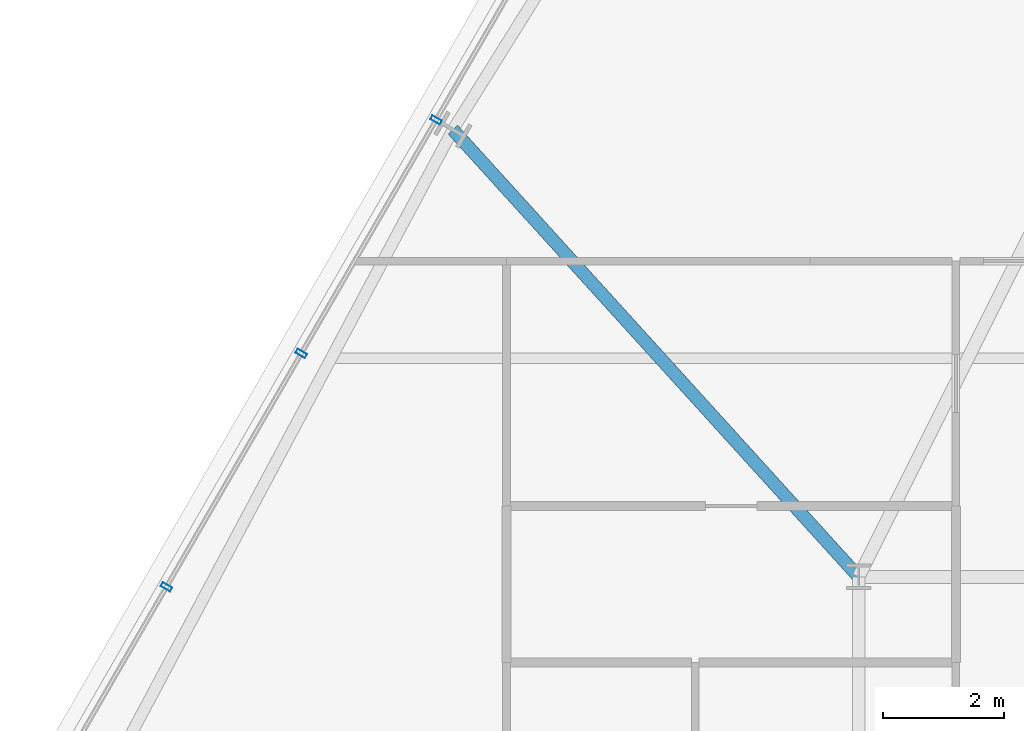
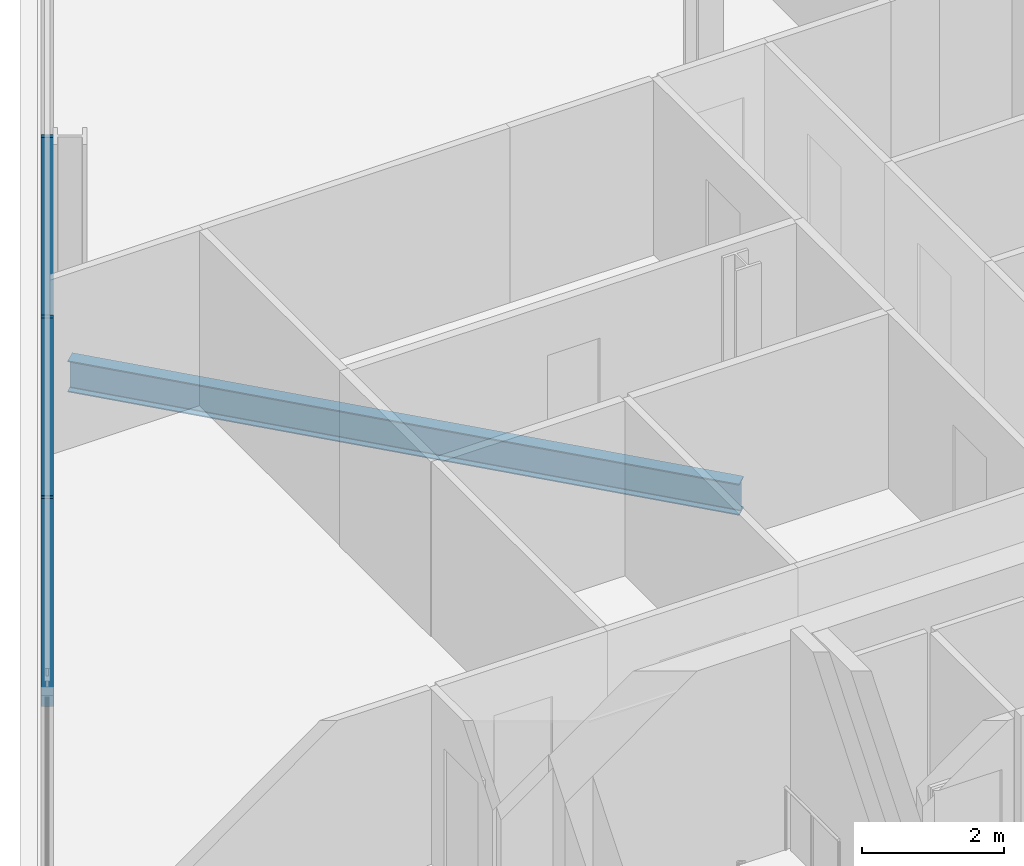
# One storey, part 11 of 31: 3 members, 1 beam, 1 element without a shape of its own.
"""IFC4 building model written with IfcOpenShell, lengths in metres."""

from ifc_helpers import new_model, si_unit, direction, frame, origin, origin_2d, place, context, subcontext, project, spatial, hollow_rectangle, i_section, extrude, material, layer, layer_set, material_profile, profile_set, type_object, element, aggregate, save


model = new_model("IFC4")

# Units and contexts
model_context = context("Model", 3, precision=1e-05, world=origin(), true_north=direction((0.0, 1.0)))
body_context = subcontext(model_context, "Body", "Model", "MODEL_VIEW")
ifc_project = project(units=[si_unit("LENGTHUNIT", "METRE"), si_unit("AREAUNIT", "SQUARE_METRE"), si_unit("VOLUMEUNIT", "CUBIC_METRE"), si_unit("PLANEANGLEUNIT", "RADIAN"), si_unit("MASSUNIT", "GRAM", prefix="KILO")], contexts=[model_context])

# Site, building, storey
site_placement = place(None, origin())
site = spatial("IfcSite", under=ifc_project, at=site_placement, CompositionType="ELEMENT")
building_placement = place(site_placement, origin())
building = spatial("IfcBuilding", under=site, at=building_placement, Name="Ndaravel Arena Tower", CompositionType="ELEMENT")
storey_placement = place(building_placement, frame((0.0, 0.0, 138.39990234375)))
storey = spatial("IfcBuildingStorey", under=building, at=storey_placement, Name="L32", CompositionType="ELEMENT", Elevation=138.39990234375)

# Beam
ifc_material_1 = material(Name="Steel S355", Category="steel")
ifc_material_profile_1 = material_profile(ifc_material_1, i_section(OverallWidth=0.210693359375, OverallDepth=0.53955078125, WebThickness=0.01171875, FlangeThickness=0.018798828125, FilletRadius=0.0126953125, at=origin_2d()), Name="UB 533x210x109")
ifc_profile_set_1 = profile_set([ifc_material_profile_1], Name="Steel S355")
beam_type = type_object("IfcBeamType", Name="BM-GIRD-UB533", PredefinedType="BEAM", material=ifc_profile_set_1)
beam_placement = place(storey_placement, frame((27.517578125, 30.564208984375, -0.489501953125), z_axis=(0.671989407825, -0.74056075765, 0.0), x_axis=(0.74056075765, 0.671989407825, 0.0)))
element("IfcBeam", 1, at=beam_placement, inside=storey, type_object=beam_type, Name="L32 Radial Floor Girder FG-19", PredefinedType="BEAM", context=body_context, shape_type="SweptSolid", body=[
    extrude(i_section(OverallWidth=0.210693359375, OverallDepth=0.53955078125, WebThickness=0.01171875, FlangeThickness=0.018798828125, FilletRadius=0.0126953125, at=origin_2d()), origin(), (0.0, 0.0, 1.0), 9.944091796875),
])

# Curtain wall, members
ifc_material_2 = material(Name="Aluminium", Category="aluminium")
ifc_layer = layer(ifc_material_2, 0.179931640625)
ifc_layer_set = layer_set([ifc_layer], Name="Aluminium")
curtain_wall_type = type_object("IfcCurtainWallType", Name="CW-SYS-03", PredefinedType="NOTDEFINED", material=ifc_layer_set)
curtain_wall_placement = place(storey_placement, origin())
curtain_wall = element("IfcCurtainWall", 2, at=curtain_wall_placement, inside=storey, type_object=curtain_wall_type, Name="L32 Faceted Crystal Curtain Wall CW-L32-E05", PredefinedType="NOTDEFINED")
ifc_material_3 = material(Name="Aluminium", Category="aluminium")
ifc_material_profile_2 = material_profile(ifc_material_3, hollow_rectangle(XDim=0.074951171875, YDim=0.179931640625, WallThickness=0.00390625, at=origin_2d()), Name="CW MULLION 75x180x4")
ifc_profile_set_2 = profile_set([ifc_material_profile_2], Name="Aluminium")
member_type = type_object("IfcMemberType", Name="MEM-CW-MUL180", PredefinedType="MULLION", material=ifc_profile_set_2)
member_1_placement = place(storey_placement, frame((27.240478515625, 30.72412109375, 0.0), z_axis=(0.0, 0.0, 1.0), x_axis=(-0.5, -0.866025403784, 0.0)))
member_1 = element("IfcMember", 3, at=member_1_placement, type_object=member_type, Name="CW-L32-E05 Mullion 04", PredefinedType="MULLION", context=body_context, shape_type="SweptSolid", body=[
    extrude(hollow_rectangle(XDim=0.074951171875, YDim=0.179931640625, WallThickness=0.00390625, at=origin_2d()), origin(), (0.0, 0.0, 1.0), 3.580078125),
])
member_2_placement = place(storey_placement, frame((25.0205078125, 26.87890625, 0.0), z_axis=(0.0, 0.0, 1.0), x_axis=(-0.5, -0.866025403784, 0.0)))
member_2 = element("IfcMember", 4, at=member_2_placement, type_object=member_type, Name="CW-L32-E05 Mullion 05", PredefinedType="MULLION", context=body_context, shape_type="SweptSolid", body=[
    extrude(hollow_rectangle(XDim=0.074951171875, YDim=0.179931640625, WallThickness=0.00390625, at=origin_2d()), origin(), (0.0, 0.0, 1.0), 3.580078125),
])
member_3_placement = place(storey_placement, frame((22.800537109375, 23.03369140625, 0.0), z_axis=(0.0, 0.0, 1.0), x_axis=(-0.5, -0.866025403784, 0.0)))
member_3 = element("IfcMember", 5, at=member_3_placement, type_object=member_type, Name="CW-L32-E05 Mullion 06", PredefinedType="MULLION", context=body_context, shape_type="SweptSolid", body=[
    extrude(hollow_rectangle(XDim=0.074951171875, YDim=0.179931640625, WallThickness=0.00390625, at=origin_2d()), origin(), (0.0, 0.0, 1.0), 3.580078125),
])
aggregate(curtain_wall, [member_1, member_2, member_3])

save(model, "model.ifc")
